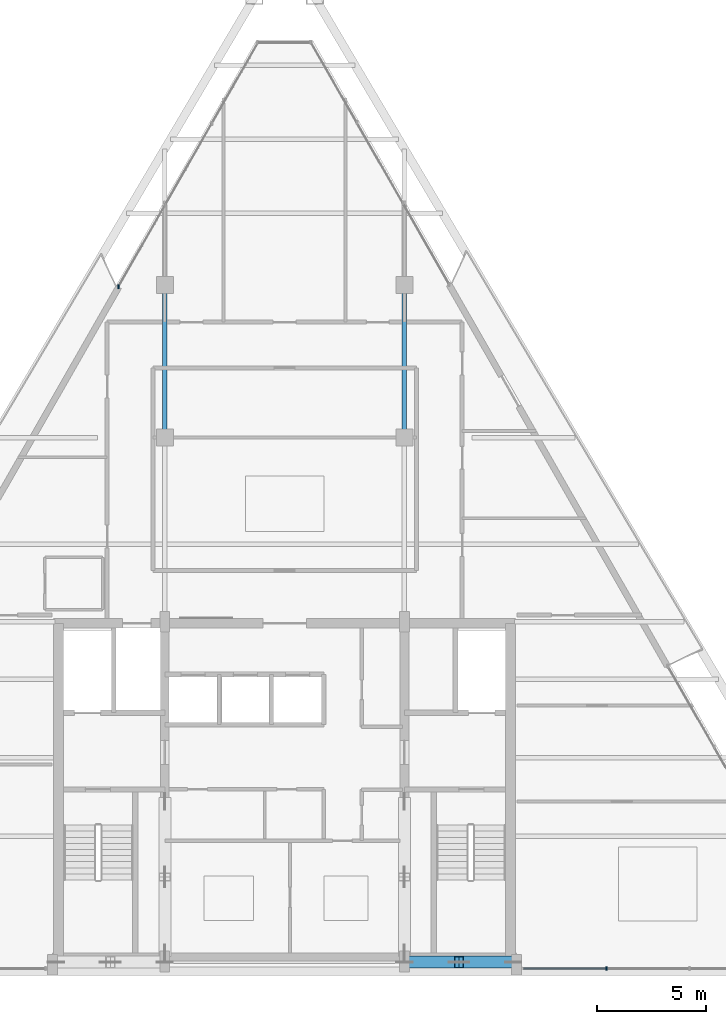
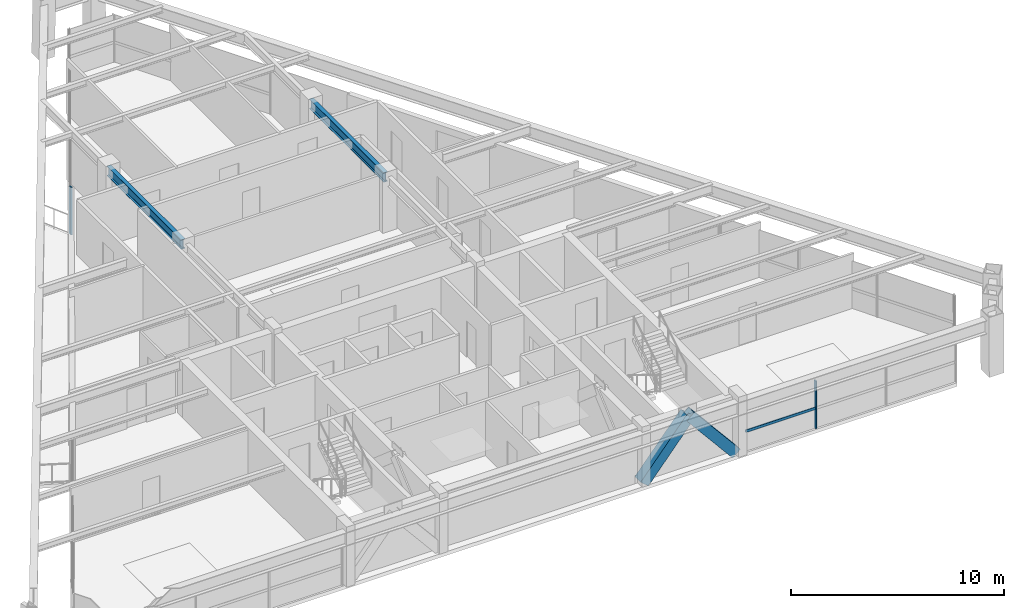
# One storey, part 4 of 13: 6 members, 2 beams, 2 elements without a shape of their own.
"""IFC4 building model written with IfcOpenShell, lengths in metres."""

import ifcopenshell
import ifcopenshell.guid

model = None  # the IFC model being written
_history = None  # IfcOwnerHistory: only IFC2X3 demands one
_inside = {}  # id of a spatial element -> (the spatial element, [elements in it])
_under = {}  # id of a project, library or spatial element -> (it, [spatial elements below it])
_declared = {}  # id of a project -> (the project, [libraries it declares])
_typed = {}  # id of a type object -> (the type object, [elements of that type])
_made_of = {}  # id of a material, layer set ... -> (it, [elements and type objects made of it])


def new_model(schema):
    """Start an empty IFC model of exactly this schema.

    Asked for "IFC4X3", IfcOpenShell would pick the latest addendum, in which some entities
    have other attributes; the version numbers below select the first issue.
    IFC2X3 requires an IfcOwnerHistory on every rooted entity: one is made here for all.
    """
    global model, _history
    if schema == "IFC4X3":
        model = ifcopenshell.file(schema_version=(4, 3, 0, 0))
    else:
        model = ifcopenshell.file(schema=schema)
    _inside.clear()
    _under.clear()
    _declared.clear()
    _typed.clear()
    _made_of.clear()
    _history = None
    if model.schema == "IFC2X3":
        org = make("IfcOrganization", Name="unknown")
        user = make(
            "IfcPersonAndOrganization",
            ThePerson=make("IfcPerson", FamilyName="unknown"),
            TheOrganization=org,
        )
        app = make(
            "IfcApplication",
            ApplicationDeveloper=org,
            Version="unknown",
            ApplicationFullName="unknown",
            ApplicationIdentifier="unknown",
        )
        _history = make(
            "IfcOwnerHistory",
            OwningUser=user,
            OwningApplication=app,
            ChangeAction="ADDED",
            CreationDate=0,
        )
    return model


def make(cls, **values):
    """One entity of the class cls with the attributes given. An attribute that is None is left unset."""
    return model.create_entity(
        cls, **{name: value for name, value in values.items() if value is not None}
    )


def rooted(cls, **values):
    """An entity with a GlobalId (a new one), such as an element, a storey or a relation."""
    return make(cls, GlobalId=ifcopenshell.guid.new(), OwnerHistory=_history, **values)


def si_unit(unit_type, name, prefix=None):
    """IfcSIUnit, for example si_unit("LENGTHUNIT", "METRE", prefix="MILLI")."""
    return make("IfcSIUnit", UnitType=unit_type, Prefix=prefix, Name=name)


def assignment(units):
    """IfcUnitAssignment: the units of a project."""
    return None if units is None else make("IfcUnitAssignment", Units=units)


def point(xyz):
    """IfcCartesianPoint."""
    return None if xyz is None else make("IfcCartesianPoint", Coordinates=xyz)


def direction(xyz):
    """IfcDirection."""
    return None if xyz is None else make("IfcDirection", DirectionRatios=xyz)


def frame(location, z_axis=None, x_axis=None):
    """IfcAxis2Placement3D, a coordinate frame: its origin and axes. An axis left out is left unset."""
    return make(
        "IfcAxis2Placement3D",
        Location=point(location),
        Axis=direction(z_axis),
        RefDirection=direction(x_axis),
    )


def frame_2d(location, x_axis=None):
    """IfcAxis2Placement2D, a coordinate frame in the plane: its origin and x axis."""
    return make(
        "IfcAxis2Placement2D", Location=point(location), RefDirection=direction(x_axis)
    )


def origin():
    """The frame at (0, 0, 0) with its axes left unset."""
    return frame((0.0, 0.0, 0.0))


def origin_2d():
    """The frame at (0, 0) in the plane with its x axis left unset."""
    return frame_2d((0.0, 0.0))


def place(relative_to, where):
    """IfcLocalPlacement: puts the frame where relative to a parent placement (None: the world)."""
    return make(
        "IfcLocalPlacement", PlacementRelTo=relative_to, RelativePlacement=where
    )


def context(
    kind, dimensions, precision=None, world=None, true_north=None, identifier=None
):
    """IfcGeometricRepresentationContext, for example the 3D "Model" context."""
    return make(
        "IfcGeometricRepresentationContext",
        ContextIdentifier=identifier,
        ContextType=kind,
        CoordinateSpaceDimension=dimensions,
        Precision=precision,
        WorldCoordinateSystem=world,
        TrueNorth=true_north,
    )


def subcontext(parent, identifier, kind, view, scale=None):
    """IfcGeometricRepresentationSubContext, for example "Body" below "Model"."""
    return make(
        "IfcGeometricRepresentationSubContext",
        ContextIdentifier=identifier,
        ContextType=kind,
        ParentContext=parent,
        TargetScale=scale,
        TargetView=view,
    )


def project(units=None, contexts=None):
    """IfcProject with its units and contexts."""
    return rooted(
        "IfcProject",
        Name="project",
        RepresentationContexts=contexts,
        UnitsInContext=assignment(units),
    )


def spatial(cls, under=None, at=None, **own):
    """A site, building, storey or space (cls), placed at a placement, below another one or the project."""
    s = rooted(cls, ObjectPlacement=at, **own)
    if under is not None:
        _under.setdefault(under.id(), (under, []))[1].append(s)
    return s


def profile(cls, at=None, kind="AREA", **sizes):
    """A parametric profile (cls). Its sizes go by their IFC names, for example OverallWidth=200.0."""
    return make(cls, ProfileType=kind, Position=at, **sizes)


def rectangle(**sizes):
    """IfcRectangleProfileDef."""
    return profile("IfcRectangleProfileDef", **sizes)


def hollow_rectangle(**sizes):
    """IfcRectangleHollowProfileDef."""
    return profile("IfcRectangleHollowProfileDef", **sizes)


def i_section(**sizes):
    """IfcIShapeProfileDef."""
    return profile("IfcIShapeProfileDef", **sizes)


def extrude(swept, where, along, depth):
    """IfcExtrudedAreaSolid: the profile swept, set in the frame where, extruded along a direction by depth."""
    return make(
        "IfcExtrudedAreaSolid",
        SweptArea=swept,
        Position=where,
        ExtrudedDirection=direction(along),
        Depth=depth,
    )


def shape(context_of_items, identifier, shape_type, items):
    """IfcShapeRepresentation: the items that make up one representation, for example the "Body"."""
    return make(
        "IfcShapeRepresentation",
        ContextOfItems=context_of_items,
        RepresentationIdentifier=identifier,
        RepresentationType=shape_type,
        Items=items,
    )


def source(mapping_origin, context_of_items, identifier, shape_type, items):
    """IfcRepresentationMap: a shape defined once, which mapped items show again and again."""
    return make(
        "IfcRepresentationMap",
        MappingOrigin=mapping_origin,
        MappedRepresentation=shape(context_of_items, identifier, shape_type, items),
    )


def transform(
    local_origin,
    x_axis=None,
    y_axis=None,
    z_axis=None,
    scale=None,
    scale2=None,
    scale3=None,
    uniform=True,
):
    """IfcCartesianTransformationOperator3D, or its non-uniform kind. x_axis, y_axis, z_axis: its Axis1, 2, 3."""
    if uniform:
        return make(
            "IfcCartesianTransformationOperator3D",
            Axis1=direction(x_axis),
            Axis2=direction(y_axis),
            LocalOrigin=point(local_origin),
            Scale=scale,
            Axis3=direction(z_axis),
        )
    return make(
        "IfcCartesianTransformationOperator3DnonUniform",
        Axis1=direction(x_axis),
        Axis2=direction(y_axis),
        LocalOrigin=point(local_origin),
        Scale=scale,
        Axis3=direction(z_axis),
        Scale2=scale2,
        Scale3=scale3,
    )


def mapped(mapping_source, mapping_target):
    """IfcMappedItem: shows the shape of a source again, moved by a transform."""
    return make(
        "IfcMappedItem", MappingSource=mapping_source, MappingTarget=mapping_target
    )


def material(Name=None, Category=None):
    """IfcMaterial."""
    return make("IfcMaterial", Name=Name, Category=Category)


def material_profile(
    of_material, cross_section, Name=None, Category=None, Priority=None
):
    """IfcMaterialProfile: a cross section and its material."""
    return make(
        "IfcMaterialProfile",
        Name=Name,
        Material=of_material,
        Profile=cross_section,
        Priority=Priority,
        Category=Category,
    )


def profile_set(profiles, Name=None, composite=None):
    """IfcMaterialProfileSet."""
    return make(
        "IfcMaterialProfileSet",
        Name=Name,
        MaterialProfiles=profiles,
        CompositeProfile=composite,
    )


def made_of(thing, what):
    """Note that an element or type object is made of a material, layer set ...; save() writes the relation."""
    if what is not None:
        _made_of.setdefault(what.id(), (what, []))[1].append(thing)
    return thing


def type_object(cls, material=None, **own):
    """A type object (cls), such as IfcWallType, which elements share."""
    return made_of(rooted(cls, **own), material)


def element(
    cls,
    number,
    at=None,
    inside=None,
    cuts=None,
    type_object=None,
    material=None,
    context=None,
    identifier="Body",
    shape_type=None,
    held_by="IfcProductDefinitionShape",
    body=None,
    shapes=None,
    **own,
):
    """One element of the class cls, such as IfcWall. Its Tag is "e" and its number.

    at: its placement. inside: the storey or other place that contains it. cuts: it is an
    opening in that element (IfcRelVoidsElement). A single representation is given by context,
    identifier, shape_type and body (its items); several are given by shapes. held_by: the class
    of the entity that holds the representations. save() writes the other relations.
    """
    e = rooted(cls, Tag="e%d" % number, ObjectPlacement=at, **own)
    if body is not None:
        shapes = [shape(context, identifier, shape_type, body)]
    if shapes is not None:
        e.Representation = make(held_by, Representations=shapes)
    if inside is not None:
        _inside.setdefault(inside.id(), (inside, []))[1].append(e)
    if cuts is not None:
        rooted(
            "IfcRelVoidsElement", RelatingBuildingElement=cuts, RelatedOpeningElement=e
        )
    if type_object is not None:
        _typed.setdefault(type_object.id(), (type_object, []))[1].append(e)
    return made_of(e, material)


def aggregate(whole, parts):
    """IfcRelAggregates: a whole, such as a stair, and the parts it consists of."""
    return rooted("IfcRelAggregates", RelatingObject=whole, RelatedObjects=parts)


def save(model, path):
    """Write the relations noted so far, then the file.

    IfcRelAggregates (storeys below a building ...), IfcRelContainedInSpatialStructure (elements
    in a storey), IfcRelDefinesByType, IfcRelAssociatesMaterial and IfcRelDeclares: one each for
    every whole, place, type object, material and project.
    """
    for whole, parts in _under.values():
        aggregate(whole, parts)
    for where, things in _inside.values():
        rooted(
            "IfcRelContainedInSpatialStructure",
            RelatedElements=things,
            RelatingStructure=where,
        )
    for kind, things in _typed.values():
        rooted("IfcRelDefinesByType", RelatedObjects=things, RelatingType=kind)
    for what, things in _made_of.values():
        rooted("IfcRelAssociatesMaterial", RelatedObjects=things, RelatingMaterial=what)
    for by, libraries in _declared.values():
        rooted("IfcRelDeclares", RelatingContext=by, RelatedDefinitions=libraries)
    model.write(path)


model = new_model("IFC4")

# Units and contexts
model_context = context("Model", 3, precision=1e-05, world=origin(), true_north=direction((0.0, 1.0)))
body_context = subcontext(model_context, "Body", "Model", "MODEL_VIEW")
ifc_project = project(units=[si_unit("LENGTHUNIT", "METRE"), si_unit("AREAUNIT", "SQUARE_METRE"), si_unit("VOLUMEUNIT", "CUBIC_METRE"), si_unit("PLANEANGLEUNIT", "RADIAN"), si_unit("MASSUNIT", "GRAM", prefix="KILO")], contexts=[model_context])

# Site, building, storey
site_placement = place(None, origin())
site = spatial("IfcSite", under=ifc_project, at=site_placement, CompositionType="ELEMENT")
building_placement = place(site_placement, origin())
building = spatial("IfcBuilding", under=site, at=building_placement, Name="Varnakhor Terracotta Tower", CompositionType="ELEMENT")
storey_placement = place(building_placement, frame((0.0, 0.0, 300.60009765625)))
storey = spatial("IfcBuildingStorey", under=building, at=storey_placement, Name="L79", CompositionType="ELEMENT", Elevation=300.60009765625)

# Beams
ifc_material_1 = material(Name="Steel S355", Category="steel")
ifc_material_profile_1 = material_profile(ifc_material_1, i_section(OverallWidth=0.214111328125, OverallDepth=0.549072265625, WebThickness=0.014892578125, FlangeThickness=0.02392578125, FilletRadius=0.01806640625, at=origin_2d()), Name="W21X93")
ifc_profile_set_1 = profile_set([ifc_material_profile_1], Name="Steel S355")
beam_type = type_object("IfcBeamType", Name="BM-W21X93", PredefinedType="BEAM", material=ifc_profile_set_1)
shared_shape_1 = source(origin(), body_context, "Body", "SweptSolid", [
    extrude(i_section(OverallWidth=0.214111328125, OverallDepth=0.549072265625, WebThickness=0.014892578125, FlangeThickness=0.02392578125, FilletRadius=0.01806640625, at=origin_2d()), origin(), (0.0, 0.0, 1.0), 7.0),
])
for number, where, z_axis, x_axis, name in (
    (1, (-5.5, 24.5, 2.87548828125), (0.0, 1.0, 0.0), (-1.0, 0.0, 0.0), "L79 Primary Girder NS2-W"),
    (2, (5.5, 24.5, 2.87548828125), (0.0, 1.0, 0.0), (-1.0, 0.0, 0.0), "L79 Primary Girder NS2-E"),
):
    element("IfcBeam", number, at=place(storey_placement, frame(where, z_axis=z_axis, x_axis=x_axis)), inside=storey, type_object=beam_type, Name=name, PredefinedType="BEAM", context=body_context, shape_type="MappedRepresentation", body=[
        mapped(shared_shape_1, transform((0.0, 0.0, 0.0), scale=1.0)),
    ])

# Members
ifc_material_profile_2 = material_profile(ifc_material_1, hollow_rectangle(XDim=0.550048828125, YDim=0.550048828125, WallThickness=0.034912109375, at=origin_2d()), Name="HSS550X550X35")
ifc_profile_set_2 = profile_set([ifc_material_profile_2], Name="Steel S355")
member_type_1 = type_object("IfcMemberType", Name="MBR-MEGA-550", PredefinedType="BRACE", material=ifc_profile_set_2)
shared_shape_2 = source(origin(), body_context, "Body", "SweptSolid", [
    extrude(hollow_rectangle(XDim=0.550048828125, YDim=0.550048828125, WallThickness=0.034912109375, at=origin_2d()), origin(), (0.0, 0.0, 1.0), 3.905029296875),
])
for number, where, z_axis, x_axis, name in (
    (3, (5.5, 0.419921875, 0.0), (0.640184399664, 0.0, 0.768221279597), (0.0, 1.0, 0.0), "L79 Core Coupled Brace CSEA"),
    (4, (10.5, 0.419921875, 0.0), (-0.640184399664, 0.0, 0.768221279597), (0.0, -1.0, 0.0), "L79 Core Coupled Brace CSEB"),
):
    element("IfcMember", number, at=place(storey_placement, frame(where, z_axis=z_axis, x_axis=x_axis)), inside=storey, type_object=member_type_1, Name=name, PredefinedType="BRACE", context=body_context, shape_type="MappedRepresentation", body=[
        mapped(shared_shape_2, transform((0.0, 0.0, 0.0), scale=1.0)),
    ])

# Curtain wall, members
ifc_material_2 = material(Name="Anodised Aluminium Curtain Wall System", Category="aluminium")
curtain_wall_type = type_object("IfcCurtainWallType", Name="CW-SYS-HOTEL-LOGGIA", PredefinedType="NOTDEFINED", material=ifc_material_2)
curtain_wall_1_placement = place(storey_placement, origin())
curtain_wall_1 = element("IfcCurtainWall", 5, at=curtain_wall_1_placement, inside=storey, type_object=curtain_wall_type, Name="L79 W Facet Curtain Wall 2", PredefinedType="NOTDEFINED")
ifc_material_3 = material(Name="Anodised Aluminium 6063-T6", Category="aluminium")
ifc_material_profile_3 = material_profile(ifc_material_3, rectangle(XDim=0.06494140625, YDim=0.159912109375, at=origin_2d()), Name="ALU MULLION 65x160")
ifc_profile_set_3 = profile_set([ifc_material_profile_3], Name="Anodised Aluminium 6063-T6")
member_type_2 = type_object("IfcMemberType", Name="CWM-04", PredefinedType="MULLION", material=ifc_profile_set_3)
shared_shape_3 = source(origin(), body_context, "Body", "SweptSolid", [
    extrude(rectangle(XDim=0.06494140625, YDim=0.159912109375, at=origin_2d()), origin(), (0.0, 0.0, 1.0), 2.72998046875),
])
member_1_placement = place(storey_placement, frame((-7.621337890625, 31.439453125, 0.0), z_axis=(0.0, 0.0, 1.0), x_axis=(1.0, 0.0, 0.0)))
member_1 = element("IfcMember", 6, at=member_1_placement, type_object=member_type_2, Name="L79 W Facet Curtain Wall 2 Mullion 1", PredefinedType="MULLION", context=body_context, shape_type="MappedRepresentation", body=[
    mapped(shared_shape_3, transform((0.0, 0.0, 0.0), scale=1.0)),
])
member_2_placement = place(storey_placement, frame((-7.618896484375, 31.403564453125, 0.0), z_axis=(0.0, 0.0, 1.0), x_axis=(1.0, 0.0, 0.0)))
member_2 = element("IfcMember", 7, at=member_2_placement, type_object=member_type_2, Name="L79 W Loggia Jamb Closure Mullion 2", PredefinedType="MULLION", context=body_context, shape_type="MappedRepresentation", body=[
    mapped(shared_shape_3, transform((0.0, 0.0, 0.0), scale=1.0)),
])
aggregate(curtain_wall_1, [member_1, member_2])

curtain_wall_2_placement = place(storey_placement, origin())
curtain_wall_2 = element("IfcCurtainWall", 8, at=curtain_wall_2_placement, inside=storey, type_object=curtain_wall_type, Name="L79 South Wing Curtain Wall SSE", PredefinedType="NOTDEFINED")
member_3_placement = place(storey_placement, frame((14.777587890625, 0.1201171875, 0.0), z_axis=(0.0, 0.0, 1.0), x_axis=(1.0, 0.0, 0.0)))
member_3 = element("IfcMember", 9, at=member_3_placement, type_object=member_type_2, Name="L79 South Wing Curtain Wall SSE Mullion 3", PredefinedType="MULLION", context=body_context, shape_type="MappedRepresentation", body=[
    mapped(shared_shape_3, transform((0.0, 0.0, 0.0), scale=1.0)),
])
ifc_material_profile_4 = material_profile(ifc_material_3, rectangle(XDim=0.06494140625, YDim=0.14501953125, at=origin_2d()), Name="ALU TRANSOM 65x145")
ifc_profile_set_4 = profile_set([ifc_material_profile_4], Name="Anodised Aluminium 6063-T6")
member_type_3 = type_object("IfcMemberType", Name="CWT-04", PredefinedType="USERDEFINED", material=ifc_profile_set_4)
shared_shape_4 = source(origin(), body_context, "Body", "SweptSolid", [
    extrude(rectangle(XDim=0.06494140625, YDim=0.14501953125, at=origin_2d()), origin(), (0.0, 0.0, 1.0), 3.8076171875),
])
member_4_placement = place(storey_placement, frame((14.777587890625, 0.1201171875, 1.146484375), z_axis=(-1.0, 0.0, 0.0), x_axis=(0.0, -1.0, 0.0)))
member_4 = element("IfcMember", 10, at=member_4_placement, type_object=member_type_3, Name="L79 South Wing Curtain Wall SSE Transom 3", ObjectType="TRANSOM", PredefinedType="USERDEFINED", context=body_context, shape_type="MappedRepresentation", body=[
    mapped(shared_shape_4, transform((0.0, 0.0, 0.0), scale=1.0)),
])
aggregate(curtain_wall_2, [member_3, member_4])

save(model, "model.ifc")
